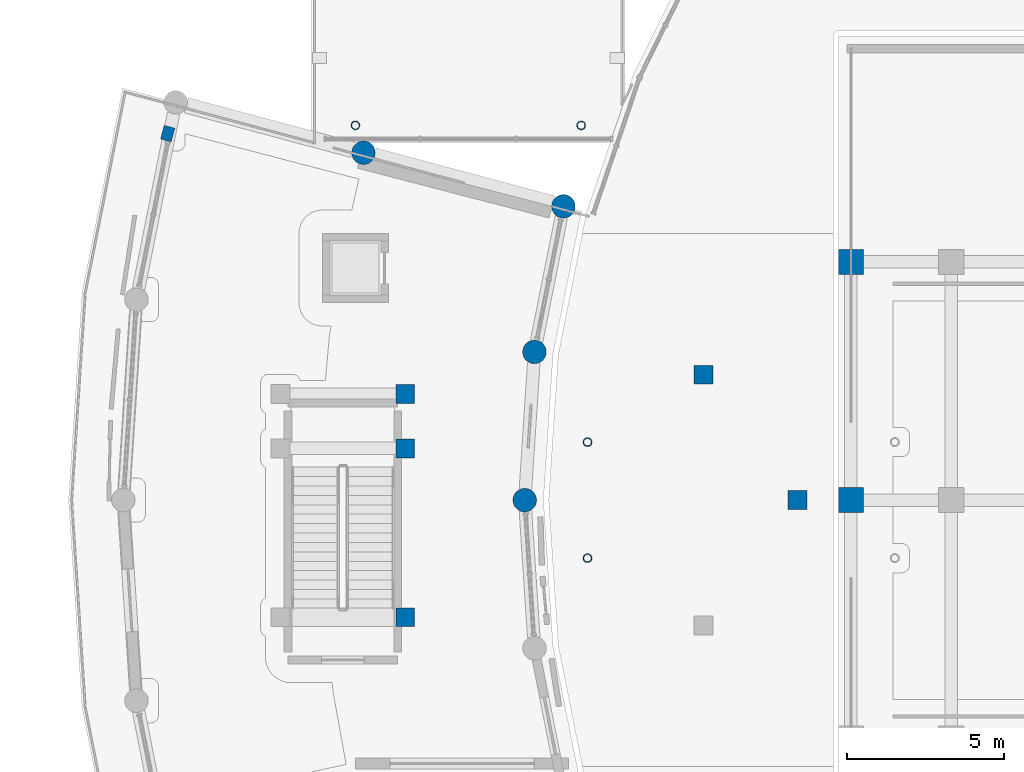
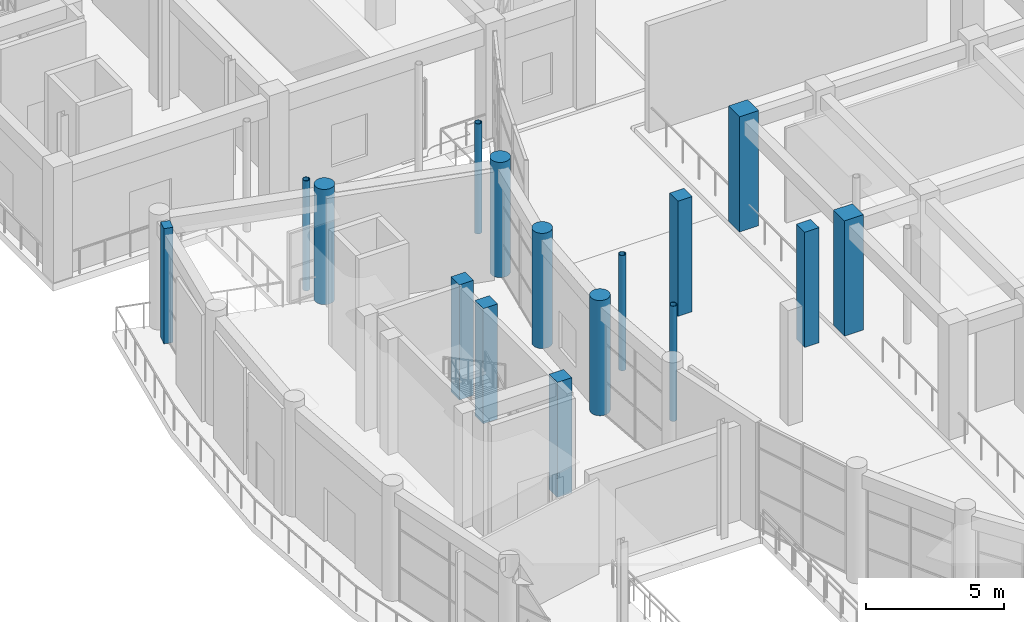
# One storey, part 8 of 99: 16 columns.
"""IFC4 building model written with IfcOpenShell, lengths in metres."""

from ifc_helpers import new_model, si_unit, direction, frame, origin, origin_2d, place, context, subcontext, project, spatial, rectangle, circle, hollow_circle, extrude, material, material_profile, profile_set, type_object, element, save


model = new_model("IFC4")

# Units and contexts
model_context = context("Model", 3, precision=1e-05, world=origin(), true_north=direction((0.0, 1.0)))
body_context = subcontext(model_context, "Body", "Model", "MODEL_VIEW")
ifc_project = project(units=[si_unit("LENGTHUNIT", "METRE"), si_unit("AREAUNIT", "SQUARE_METRE"), si_unit("VOLUMEUNIT", "CUBIC_METRE"), si_unit("PLANEANGLEUNIT", "RADIAN"), si_unit("MASSUNIT", "GRAM", prefix="KILO")], contexts=[model_context])

# Site, building, storey
site_placement = place(None, origin())
site = spatial("IfcSite", under=ifc_project, at=site_placement, CompositionType="ELEMENT")
building_placement = place(site_placement, origin())
building = spatial("IfcBuilding", under=site, at=building_placement, Name="Saryqyr Civic Hall", CompositionType="ELEMENT")
storey_placement = place(building_placement, origin())
storey = spatial("IfcBuildingStorey", under=building, at=storey_placement, Name="L00", CompositionType="ELEMENT", Elevation=0.0)

# Columns
ifc_material_1 = material(Name="Steel S355", Category="steel")
ifc_material_profile_1 = material_profile(ifc_material_1, hollow_circle(Radius=0.136474609375, WallThickness=0.01611328125, at=origin_2d()), Name="CHS 273x16")
ifc_profile_set_1 = profile_set([ifc_material_profile_1], Name="Steel S355")
column_type_1 = type_object("IfcColumnType", Name="STR-COL-CHS273-S355", PredefinedType="COLUMN", material=ifc_profile_set_1)
for number, where, z_axis, x_axis, name in (
    (1, (15.39990234375, 95.949951171875, 0.0), (0.0, 0.0, 1.0), (1.0, 0.0, 0.0), "Column BRCOL-BR-NW-1-L00"),
    (2, (22.60009765625, 95.949951171875, 0.0), (0.0, 0.0, 1.0), (1.0, 0.0, 0.0), "Column BRCOL-BR-NW-2-L00"),
):
    element("IfcColumn", number, at=place(storey_placement, frame(where, z_axis=z_axis, x_axis=x_axis)), inside=storey, type_object=column_type_1, Name=name, PredefinedType="COLUMN", context=body_context, shape_type="SweptSolid", body=[
        extrude(hollow_circle(Radius=0.136474609375, WallThickness=0.01611328125, at=origin_2d()), origin(), (0.0, 0.0, 1.0), 4.8701171875),
    ])
for number, where, z_axis, x_axis, name in (
    (3, (22.800048828125, 82.14990234375, 0.0), (0.0, 0.0, 1.0), (1.0, 0.0, 0.0), "Column BRCOL-BR-CW-1-L00"),
    (4, (22.800048828125, 85.85009765625, 0.0), (0.0, 0.0, 1.0), (1.0, 0.0, 0.0), "Column BRCOL-BR-CW-4-L00"),
):
    element("IfcColumn", number, at=place(storey_placement, frame(where, z_axis=z_axis, x_axis=x_axis)), inside=storey, type_object=column_type_1, Name=name, PredefinedType="COLUMN", context=body_context, shape_type="SweptSolid", body=[
        extrude(hollow_circle(Radius=0.136474609375, WallThickness=0.01611328125, at=origin_2d()), origin(), (0.0, 0.0, 1.0), 5.10009765625),
    ])
ifc_material_2 = material(Name="Concrete C40/50", Category="concrete")
ifc_material_profile_2 = material_profile(ifc_material_2, rectangle(XDim=0.60009765625, YDim=0.60009765625, at=origin_2d()), Name="RC 600x600")
ifc_profile_set_2 = profile_set([ifc_material_profile_2], Name="Concrete C40/50")
column_type_2 = type_object("IfcColumnType", Name="STR-COL-RC600-C40", PredefinedType="COLUMN", material=ifc_profile_set_2)
for number, where, z_axis, x_axis, name in (
    (5, (16.989990234375, 80.264892578125, 0.0), (0.0, 0.0, 1.0), (1.0, 0.0, 0.0), "Column ST-4-SCOL-TRMA-L00"),
    (6, (16.989990234375, 85.64990234375, 0.0), (0.0, 0.0, 1.0), (1.0, 0.0, 0.0), "Column ST-4-SCOL-LND1A-L00"),
    (7, (16.989990234375, 87.3798828125, 0.0), (0.0, 0.0, 1.0), (1.0, 0.0, 0.0), "Column ST-4-SCOL-LND2A-L00"),
    (8, (26.5, 88.0, 0.0), (0.0, 0.0, 1.0), (1.0, 0.0, 0.0), "Column V2-XCOL-02-L00"),
    (9, (29.5, 84.0, 0.0), (0.0, 0.0, 1.0), (1.0, 0.0, 0.0), "Column V2-XCOL-03-L00"),
):
    element("IfcColumn", number, at=place(storey_placement, frame(where, z_axis=z_axis, x_axis=x_axis)), inside=storey, type_object=column_type_2, Name=name, PredefinedType="COLUMN", context=body_context, shape_type="SweptSolid", body=[
        extrude(rectangle(XDim=0.60009765625, YDim=0.60009765625, at=origin_2d()), origin(), (0.0, 0.0, 1.0), 5.10009765625),
    ])
ifc_material_profile_3 = material_profile(ifc_material_2, rectangle(XDim=0.800048828125, YDim=0.800048828125, at=origin_2d()), Name="RC 800x800")
ifc_profile_set_3 = profile_set([ifc_material_profile_3], Name="Concrete C40/50")
column_type_3 = type_object("IfcColumnType", Name="STR-COL-RC800-C40", PredefinedType="COLUMN", material=ifc_profile_set_3)
for number, where, z_axis, x_axis, name in (
    (10, (31.199951171875, 84.0, 0.0), (0.0, 0.0, 1.0), (1.0, 0.0, 0.0), "Column V1-COL-S0P02-L00"),
    (11, (31.199951171875, 91.60009765625, 0.0), (0.0, 0.0, 1.0), (1.0, 0.0, 0.0), "Column V1-COL-S0P03-L00"),
):
    element("IfcColumn", number, at=place(storey_placement, frame(where, z_axis=z_axis, x_axis=x_axis)), inside=storey, type_object=column_type_3, Name=name, PredefinedType="COLUMN", context=body_context, shape_type="SweptSolid", body=[
        extrude(rectangle(XDim=0.800048828125, YDim=0.800048828125, at=origin_2d()), origin(), (0.0, 0.0, 1.0), 5.10009765625),
    ])
ifc_material_profile_4 = material_profile(ifc_material_2, circle(Radius=0.375, at=origin_2d()), Name="RC D750")
ifc_profile_set_4 = profile_set([ifc_material_profile_4], Name="Concrete C40/50")
column_type_4 = type_object("IfcColumnType", Name="STR-COL-RCD750-EXT", PredefinedType="COLUMN", material=ifc_profile_set_4)
for number, where, z_axis, x_axis, name in (
    (12, (22.033447265625, 93.369140625, 0.0), (0.0, 0.0, 1.0), (-0.965925826289, 0.258819045103, 0.0), "Column V4-COL-IN00-L00"),
    (13, (21.109619140625, 88.72509765625, 0.0), (0.0, 0.0, 1.0), (-0.991444861374, 0.13052619222, 0.0), "Column V4-COL-IN01-L00"),
    (14, (20.800048828125, 84.0, 0.0), (0.0, 0.0, 1.0), (-1.0, 0.0, 0.0), "Column V4-COL-IN02-L00"),
):
    element("IfcColumn", number, at=place(storey_placement, frame(where, z_axis=z_axis, x_axis=x_axis)), inside=storey, type_object=column_type_4, Name=name, PredefinedType="COLUMN", context=body_context, shape_type="SweptSolid", body=[
        extrude(circle(Radius=0.375, at=origin_2d()), origin(), (0.0, 0.0, 1.0), 5.10009765625),
    ])
ifc_material_profile_5 = material_profile(ifc_material_2, circle(Radius=0.375, at=origin_2d()), Name="RC D750")
ifc_profile_set_5 = profile_set([ifc_material_profile_5], Name="Concrete C40/50")
column_type_5 = type_object("IfcColumnType", Name="STR-COL-RCD750-INT", PredefinedType="COLUMN", material=ifc_profile_set_5)
column_1_placement = place(storey_placement, frame((15.658447265625, 95.077392578125, 0.0), z_axis=(0.0, 0.0, 1.0), x_axis=(-0.965925826289, 0.258819045103, 0.0)))
element("IfcColumn", 15, at=column_1_placement, inside=storey, type_object=column_type_5, Name="Column V4-COL-MID00-L00", PredefinedType="COLUMN", context=body_context, shape_type="SweptSolid", body=[
    extrude(circle(Radius=0.375, at=origin_2d()), origin(), (0.0, 0.0, 1.0), 5.10009765625),
])
ifc_material_3 = material(Name="Concrete C35/45", Category="concrete")
ifc_material_profile_6 = material_profile(ifc_material_3, rectangle(XDim=0.35009765625, YDim=0.449951171875, at=origin_2d()), Name="RC 350x450")
ifc_profile_set_6 = profile_set([ifc_material_profile_6], Name="Concrete C35/45")
column_type_6 = type_object("IfcColumnType", Name="STR-PIL-RC350x450-EXT", PredefinedType="PILASTER", material=ifc_profile_set_6)
column_2_placement = place(storey_placement, frame((9.414306640625, 95.68798828125, 0.0), z_axis=(0.0, 0.0, 1.0), x_axis=(-0.965925826289, 0.258819045103, 0.0)))
element("IfcColumn", 16, at=column_2_placement, inside=storey, type_object=column_type_6, Name="Column V4-PIL-00-L00", PredefinedType="PILASTER", context=body_context, shape_type="SweptSolid", body=[
    extrude(rectangle(XDim=0.35009765625, YDim=0.449951171875, at=origin_2d()), origin(), (0.0, 0.0, 1.0), 5.10009765625),
])

save(model, "model.ifc")
